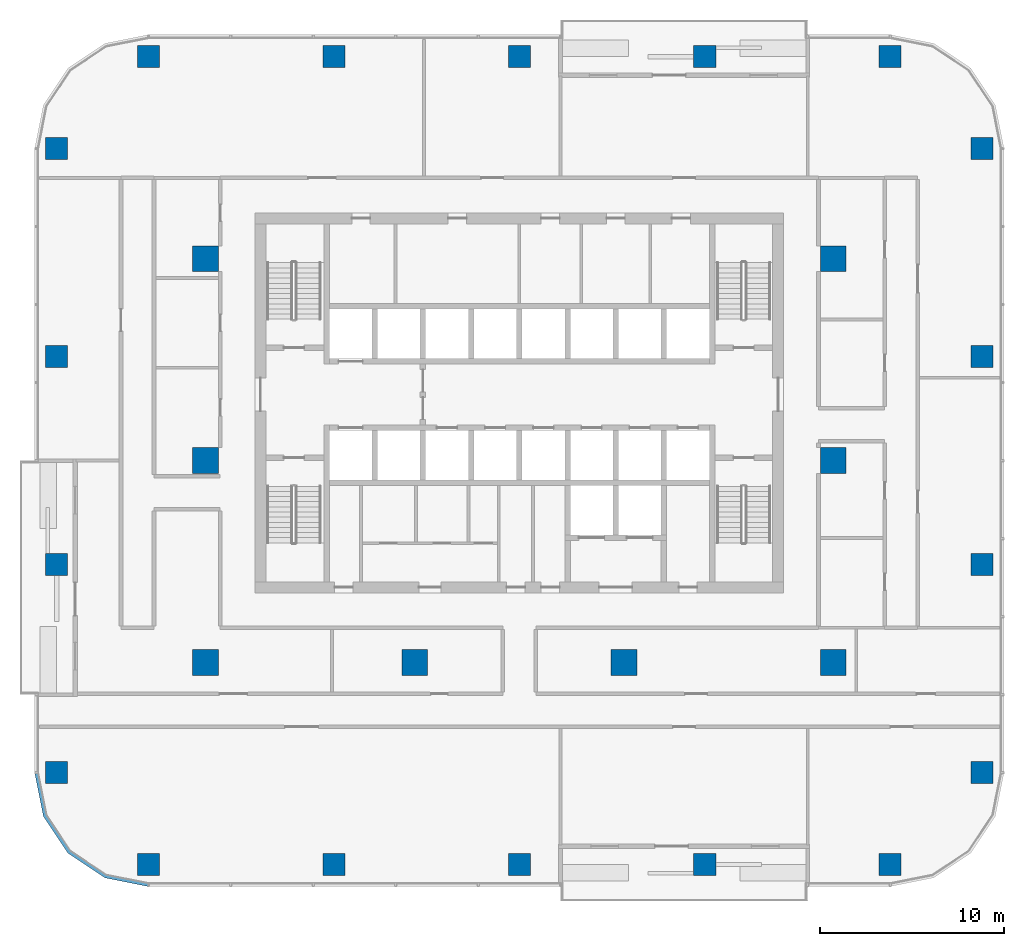
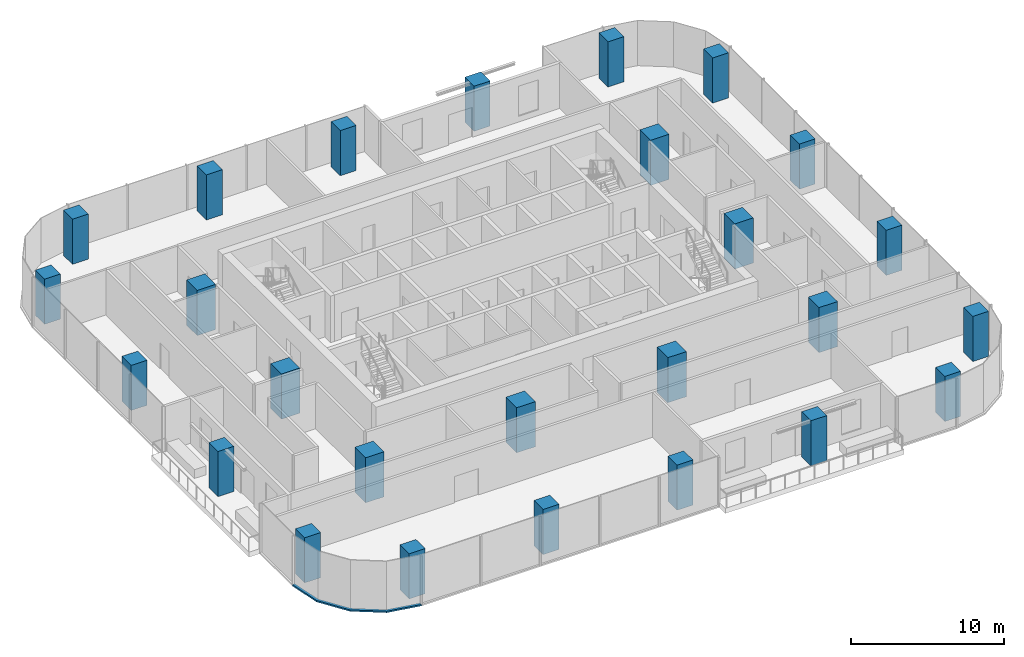
# One storey, part 1 of 14: 26 columns, 1 member, 1 element without a shape of its own.
"""IFC4 building model written with IfcOpenShell, lengths in metres."""

from ifc_helpers import new_model, si_unit, direction, frame, origin, origin_2d, place, context, subcontext, project, spatial, polyline, rectangle, outline, extrude, material, material_profile, profile_set, type_object, element, aggregate, save


model = new_model("IFC4")

# Units and contexts
model_context = context("Model", 3, precision=1e-05, world=origin(), true_north=direction((0.0, 1.0)))
body_context = subcontext(model_context, "Body", "Model", "MODEL_VIEW")
ifc_project = project(units=[si_unit("LENGTHUNIT", "METRE"), si_unit("AREAUNIT", "SQUARE_METRE"), si_unit("VOLUMEUNIT", "CUBIC_METRE"), si_unit("PLANEANGLEUNIT", "RADIAN"), si_unit("MASSUNIT", "GRAM", prefix="KILO")], contexts=[model_context])

# Site, building, storey
site_placement = place(None, origin())
site = spatial("IfcSite", under=ifc_project, at=site_placement, CompositionType="ELEMENT")
building_placement = place(site_placement, origin())
building = spatial("IfcBuilding", under=site, at=building_placement, Name="Mopane Tessera Tower", CompositionType="ELEMENT")
storey_placement = place(building_placement, frame((0.0, 0.0, 185.0)))
storey = spatial("IfcBuildingStorey", under=building, at=storey_placement, Name="L38", CompositionType="ELEMENT", Elevation=185.0)

# Columns
ifc_material_1 = material(Name="Concrete C50/60", Category="concrete")
ifc_material_profile_1 = material_profile(ifc_material_1, rectangle(XDim=1.39990234375, YDim=1.39990234375, at=origin_2d()))
ifc_profile_set_1 = profile_set([ifc_material_profile_1], Name="Concrete C50/60")
column_type_1 = type_object("IfcColumnType", Name="Interior column 1400 x 1400 C50/60", PredefinedType="COLUMN", material=ifc_profile_set_1)
for number, where, z_axis, x_axis, name in (
    (1, (-17.10009765625, -11.0, 0.0), (0.0, 0.0, 1.0), (1.0, 0.0, 0.0), "Interior column I1A L38"),
    (2, (-17.10009765625, 0.0, 0.0), (0.0, 0.0, 1.0), (1.0, 0.0, 0.0), "Interior column I1B L38"),
    (3, (-17.10009765625, 11.0, 0.0), (0.0, 0.0, 1.0), (1.0, 0.0, 0.0), "Interior column I1C L38"),
    (4, (-5.699951171875, -11.0, 0.0), (0.0, 0.0, 1.0), (1.0, 0.0, 0.0), "Interior column I2A L38"),
    (5, (5.699951171875, -11.0, 0.0), (0.0, 0.0, 1.0), (1.0, 0.0, 0.0), "Interior column I3A L38"),
    (6, (17.10009765625, -11.0, 0.0), (0.0, 0.0, 1.0), (1.0, 0.0, 0.0), "Interior column I4A L38"),
    (7, (17.10009765625, 0.0, 0.0), (0.0, 0.0, 1.0), (1.0, 0.0, 0.0), "Interior column I4B L38"),
    (8, (17.10009765625, 11.0, 0.0), (0.0, 0.0, 1.0), (1.0, 0.0, 0.0), "Interior column I4C L38"),
):
    element("IfcColumn", number, at=place(storey_placement, frame(where, z_axis=z_axis, x_axis=x_axis)), inside=storey, type_object=column_type_1, Name=name, PredefinedType="COLUMN", context=body_context, shape_type="SweptSolid", body=[
        extrude(rectangle(XDim=1.39990234375, YDim=1.39990234375, at=origin_2d()), origin(), (0.0, 0.0, 1.0), 3.60009765625),
    ])
ifc_material_2 = material(Name="Concrete C50/60", Category="concrete")
ifc_material_profile_2 = material_profile(ifc_material_2, rectangle(XDim=1.199951171875, YDim=1.199951171875, at=origin_2d()))
ifc_profile_set_2 = profile_set([ifc_material_profile_2], Name="Concrete C50/60")
column_type_2 = type_object("IfcColumnType", Name="Ring column 1200 x 1200 C50/60", PredefinedType="COLUMN", material=ifc_profile_set_2)
for number, where, z_axis, x_axis, name in (
    (9, (-20.199951171875, -22.0, 0.0), (0.0, 0.0, 1.0), (1.0, 0.0, 0.0), "Ring column S0 L38"),
    (10, (-10.10009765625, -22.0, 0.0), (0.0, 0.0, 1.0), (1.0, 0.0, 0.0), "Ring column S1 L38"),
    (11, (0.0, -22.0, 0.0), (0.0, 0.0, 1.0), (1.0, 0.0, 0.0), "Ring column S2 L38"),
    (12, (10.10009765625, -22.0, 0.0), (0.0, 0.0, 1.0), (1.0, 0.0, 0.0), "Ring column S3 L38"),
    (13, (20.199951171875, -22.0, 0.0), (0.0, 0.0, 1.0), (1.0, 0.0, 0.0), "Ring column S4 L38"),
    (14, (25.199951171875, -17.0, 0.0), (0.0, 0.0, 1.0), (1.0, 0.0, 0.0), "Ring column E0 L38"),
    (15, (25.199951171875, -5.666748046875, 0.0), (0.0, 0.0, 1.0), (1.0, 0.0, 0.0), "Ring column E1 L38"),
    (16, (25.199951171875, 5.666748046875, 0.0), (0.0, 0.0, 1.0), (1.0, 0.0, 0.0), "Ring column E2 L38"),
    (17, (25.199951171875, 17.0, 0.0), (0.0, 0.0, 1.0), (1.0, 0.0, 0.0), "Ring column E3 L38"),
    (18, (20.199951171875, 22.0, 0.0), (0.0, 0.0, 1.0), (1.0, 0.0, 0.0), "Ring column N0 L38"),
    (19, (10.10009765625, 22.0, 0.0), (0.0, 0.0, 1.0), (1.0, 0.0, 0.0), "Ring column N1 L38"),
    (20, (0.0, 22.0, 0.0), (0.0, 0.0, 1.0), (1.0, 0.0, 0.0), "Ring column N2 L38"),
    (21, (-10.10009765625, 22.0, 0.0), (0.0, 0.0, 1.0), (1.0, 0.0, 0.0), "Ring column N3 L38"),
    (22, (-20.199951171875, 22.0, 0.0), (0.0, 0.0, 1.0), (1.0, 0.0, 0.0), "Ring column N4 L38"),
    (23, (-25.199951171875, 17.0, 0.0), (0.0, 0.0, 1.0), (1.0, 0.0, 0.0), "Ring column W0 L38"),
    (24, (-25.199951171875, 5.666748046875, 0.0), (0.0, 0.0, 1.0), (1.0, 0.0, 0.0), "Ring column W1 L38"),
    (25, (-25.199951171875, -5.666748046875, 0.0), (0.0, 0.0, 1.0), (1.0, 0.0, 0.0), "Ring column W2 L38"),
    (26, (-25.199951171875, -17.0, 0.0), (0.0, 0.0, 1.0), (1.0, 0.0, 0.0), "Ring column W3 L38"),
):
    element("IfcColumn", number, at=place(storey_placement, frame(where, z_axis=z_axis, x_axis=x_axis)), inside=storey, type_object=column_type_2, Name=name, PredefinedType="COLUMN", context=body_context, shape_type="SweptSolid", body=[
        extrude(rectangle(XDim=1.199951171875, YDim=1.199951171875, at=origin_2d()), origin(), (0.0, 0.0, 1.0), 3.60009765625),
    ])

# Curtain wall, member
ifc_material_3 = material(Name="Aluminium frame", Category="aluminium")
curtain_wall_type = type_object("IfcCurtainWallType", Name="Unitised curtain wall", PredefinedType="NOTDEFINED", material=ifc_material_3)
curtain_wall_placement = place(storey_placement, origin())
curtain_wall = element("IfcCurtainWall", 27, at=curtain_wall_placement, inside=storey, type_object=curtain_wall_type, Name="e:cw:L38:CW", PredefinedType="NOTDEFINED")
ifc_material_4 = material(Name="Aluminium frame", Category="aluminium")
ifc_material_profile_3 = material_profile(ifc_material_4, rectangle(XDim=0.199951171875, YDim=0.1201171875, at=origin_2d()))
ifc_profile_set_3 = profile_set([ifc_material_profile_3], Name="Aluminium frame")
member_type = type_object("IfcMemberType", Name="Aluminium transom 200 x 120", PredefinedType="USERDEFINED", material=ifc_profile_set_3)
member_placement = place(storey_placement, frame((0.0, 0.0, -0.39990234375)))
member = element("IfcMember", 28, at=member_placement, type_object=member_type, Name="e:cw:L38:CW:tr", ObjectType="TRANSOM", PredefinedType="USERDEFINED", context=body_context, shape_type="SweptSolid", body=[
    extrude(outline(polyline([(-26.199951171875, -17.0), (-25.7431640625, -19.296142578125), (-24.442626953125, -21.24267578125), (-22.49609375, -22.543212890625), (-20.199951171875, -23.0), (-20.199951171875, -23.199951171875), (-22.57275390625, -22.72802734375), (-24.583984375, -21.384033203125), (-25.927978515625, -19.37255859375), (-26.39990234375, -17.0), (-26.199951171875, -17.0)])), origin(), (0.0, 0.0, 1.0), 0.119873046875),
])
aggregate(curtain_wall, [member])

save(model, "model.ifc")
